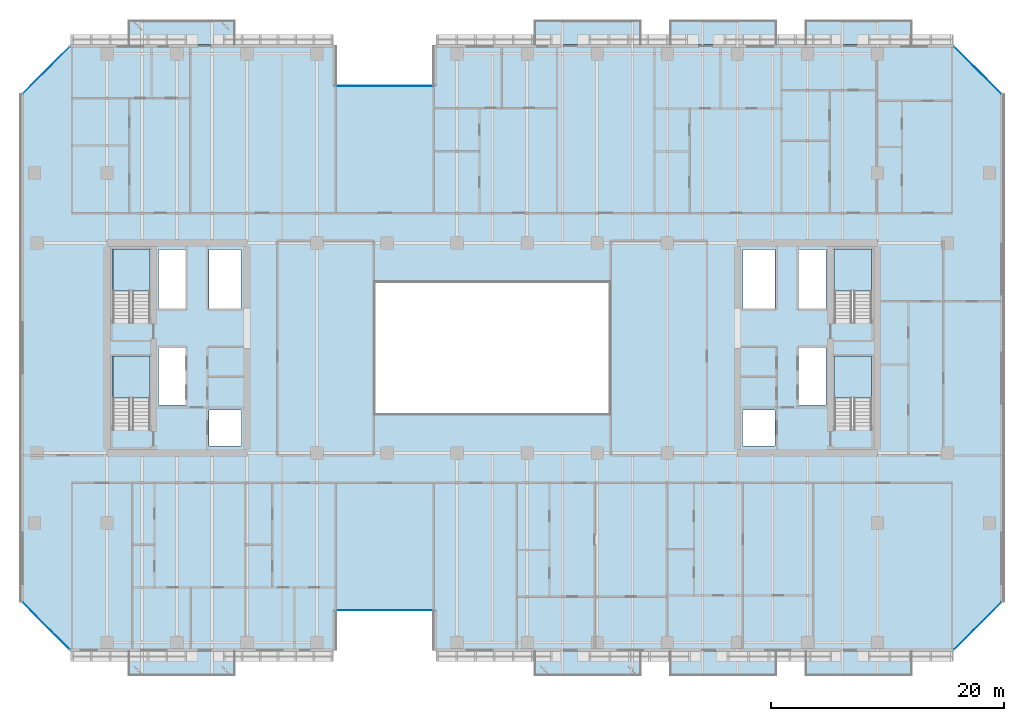
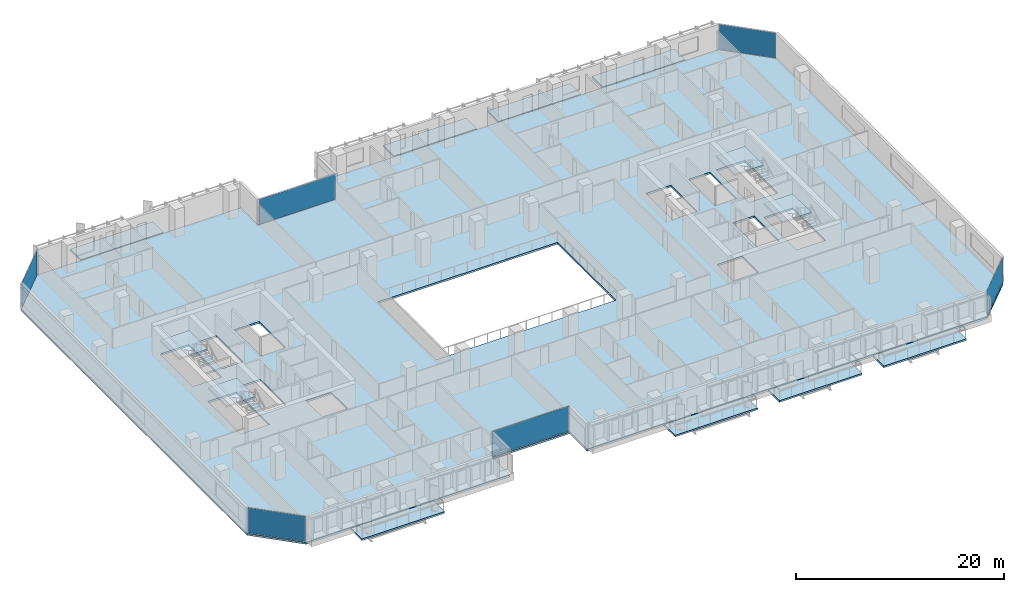
# One storey, part 18 of 34: 13 slabs, 6 plates, 10 elements without a shape of their own.
"""IFC4 building model written with IfcOpenShell, lengths in metres."""

import ifcopenshell
import ifcopenshell.guid

model = None  # the IFC model being written
_history = None  # IfcOwnerHistory: only IFC2X3 demands one
_inside = {}  # id of a spatial element -> (the spatial element, [elements in it])
_under = {}  # id of a project, library or spatial element -> (it, [spatial elements below it])
_declared = {}  # id of a project -> (the project, [libraries it declares])
_typed = {}  # id of a type object -> (the type object, [elements of that type])
_made_of = {}  # id of a material, layer set ... -> (it, [elements and type objects made of it])


def new_model(schema):
    """Start an empty IFC model of exactly this schema.

    Asked for "IFC4X3", IfcOpenShell would pick the latest addendum, in which some entities
    have other attributes; the version numbers below select the first issue.
    IFC2X3 requires an IfcOwnerHistory on every rooted entity: one is made here for all.
    """
    global model, _history
    if schema == "IFC4X3":
        model = ifcopenshell.file(schema_version=(4, 3, 0, 0))
    else:
        model = ifcopenshell.file(schema=schema)
    _inside.clear()
    _under.clear()
    _declared.clear()
    _typed.clear()
    _made_of.clear()
    _history = None
    if model.schema == "IFC2X3":
        org = make("IfcOrganization", Name="unknown")
        user = make(
            "IfcPersonAndOrganization",
            ThePerson=make("IfcPerson", FamilyName="unknown"),
            TheOrganization=org,
        )
        app = make(
            "IfcApplication",
            ApplicationDeveloper=org,
            Version="unknown",
            ApplicationFullName="unknown",
            ApplicationIdentifier="unknown",
        )
        _history = make(
            "IfcOwnerHistory",
            OwningUser=user,
            OwningApplication=app,
            ChangeAction="ADDED",
            CreationDate=0,
        )
    return model


def make(cls, **values):
    """One entity of the class cls with the attributes given. An attribute that is None is left unset."""
    return model.create_entity(
        cls, **{name: value for name, value in values.items() if value is not None}
    )


def rooted(cls, **values):
    """An entity with a GlobalId (a new one), such as an element, a storey or a relation."""
    return make(cls, GlobalId=ifcopenshell.guid.new(), OwnerHistory=_history, **values)


def si_unit(unit_type, name, prefix=None):
    """IfcSIUnit, for example si_unit("LENGTHUNIT", "METRE", prefix="MILLI")."""
    return make("IfcSIUnit", UnitType=unit_type, Prefix=prefix, Name=name)


def assignment(units):
    """IfcUnitAssignment: the units of a project."""
    return None if units is None else make("IfcUnitAssignment", Units=units)


def point(xyz):
    """IfcCartesianPoint."""
    return None if xyz is None else make("IfcCartesianPoint", Coordinates=xyz)


def direction(xyz):
    """IfcDirection."""
    return None if xyz is None else make("IfcDirection", DirectionRatios=xyz)


def frame(location, z_axis=None, x_axis=None):
    """IfcAxis2Placement3D, a coordinate frame: its origin and axes. An axis left out is left unset."""
    return make(
        "IfcAxis2Placement3D",
        Location=point(location),
        Axis=direction(z_axis),
        RefDirection=direction(x_axis),
    )


def frame_2d(location, x_axis=None):
    """IfcAxis2Placement2D, a coordinate frame in the plane: its origin and x axis."""
    return make(
        "IfcAxis2Placement2D", Location=point(location), RefDirection=direction(x_axis)
    )


def origin():
    """The frame at (0, 0, 0) with its axes left unset."""
    return frame((0.0, 0.0, 0.0))


def origin_2d():
    """The frame at (0, 0) in the plane with its x axis left unset."""
    return frame_2d((0.0, 0.0))


def place(relative_to, where):
    """IfcLocalPlacement: puts the frame where relative to a parent placement (None: the world)."""
    return make(
        "IfcLocalPlacement", PlacementRelTo=relative_to, RelativePlacement=where
    )


def context(
    kind, dimensions, precision=None, world=None, true_north=None, identifier=None
):
    """IfcGeometricRepresentationContext, for example the 3D "Model" context."""
    return make(
        "IfcGeometricRepresentationContext",
        ContextIdentifier=identifier,
        ContextType=kind,
        CoordinateSpaceDimension=dimensions,
        Precision=precision,
        WorldCoordinateSystem=world,
        TrueNorth=true_north,
    )


def subcontext(parent, identifier, kind, view, scale=None):
    """IfcGeometricRepresentationSubContext, for example "Body" below "Model"."""
    return make(
        "IfcGeometricRepresentationSubContext",
        ContextIdentifier=identifier,
        ContextType=kind,
        ParentContext=parent,
        TargetScale=scale,
        TargetView=view,
    )


def project(units=None, contexts=None):
    """IfcProject with its units and contexts."""
    return rooted(
        "IfcProject",
        Name="project",
        RepresentationContexts=contexts,
        UnitsInContext=assignment(units),
    )


def spatial(cls, under=None, at=None, **own):
    """A site, building, storey or space (cls), placed at a placement, below another one or the project."""
    s = rooted(cls, ObjectPlacement=at, **own)
    if under is not None:
        _under.setdefault(under.id(), (under, []))[1].append(s)
    return s


def polyline(points):
    """IfcPolyline through the points."""
    return make("IfcPolyline", Points=[point(p) for p in points])


def profile(cls, at=None, kind="AREA", **sizes):
    """A parametric profile (cls). Its sizes go by their IFC names, for example OverallWidth=200.0."""
    return make(cls, ProfileType=kind, Position=at, **sizes)


def rectangle(**sizes):
    """IfcRectangleProfileDef."""
    return profile("IfcRectangleProfileDef", **sizes)


def outline(outer, holes=None, kind="AREA"):
    """IfcArbitraryClosedProfileDef: a profile drawn as a closed curve; with holes, ...WithVoids."""
    if holes is None:
        return make("IfcArbitraryClosedProfileDef", ProfileType=kind, OuterCurve=outer)
    return make(
        "IfcArbitraryProfileDefWithVoids",
        ProfileType=kind,
        OuterCurve=outer,
        InnerCurves=holes,
    )


def extrude(swept, where, along, depth):
    """IfcExtrudedAreaSolid: the profile swept, set in the frame where, extruded along a direction by depth."""
    return make(
        "IfcExtrudedAreaSolid",
        SweptArea=swept,
        Position=where,
        ExtrudedDirection=direction(along),
        Depth=depth,
    )


def shape(context_of_items, identifier, shape_type, items):
    """IfcShapeRepresentation: the items that make up one representation, for example the "Body"."""
    return make(
        "IfcShapeRepresentation",
        ContextOfItems=context_of_items,
        RepresentationIdentifier=identifier,
        RepresentationType=shape_type,
        Items=items,
    )


def material(Name=None, Category=None):
    """IfcMaterial."""
    return make("IfcMaterial", Name=Name, Category=Category)


def layer(
    of_material, thickness, ventilated=None, Name=None, Category=None, Priority=None
):
    """IfcMaterialLayer: one layer of a wall or slab, of a material (None: an air gap)."""
    return make(
        "IfcMaterialLayer",
        Material=of_material,
        LayerThickness=thickness,
        IsVentilated=ventilated,
        Name=Name,
        Category=Category,
        Priority=Priority,
    )


def layer_set(layers, Name=None):
    """IfcMaterialLayerSet."""
    return make("IfcMaterialLayerSet", MaterialLayers=layers, LayerSetName=Name)


def made_of(thing, what):
    """Note that an element or type object is made of a material, layer set ...; save() writes the relation."""
    if what is not None:
        _made_of.setdefault(what.id(), (what, []))[1].append(thing)
    return thing


def type_object(cls, material=None, **own):
    """A type object (cls), such as IfcWallType, which elements share."""
    return made_of(rooted(cls, **own), material)


def element(
    cls,
    number,
    at=None,
    inside=None,
    cuts=None,
    type_object=None,
    material=None,
    context=None,
    identifier="Body",
    shape_type=None,
    held_by="IfcProductDefinitionShape",
    body=None,
    shapes=None,
    **own,
):
    """One element of the class cls, such as IfcWall. Its Tag is "e" and its number.

    at: its placement. inside: the storey or other place that contains it. cuts: it is an
    opening in that element (IfcRelVoidsElement). A single representation is given by context,
    identifier, shape_type and body (its items); several are given by shapes. held_by: the class
    of the entity that holds the representations. save() writes the other relations.
    """
    e = rooted(cls, Tag="e%d" % number, ObjectPlacement=at, **own)
    if body is not None:
        shapes = [shape(context, identifier, shape_type, body)]
    if shapes is not None:
        e.Representation = make(held_by, Representations=shapes)
    if inside is not None:
        _inside.setdefault(inside.id(), (inside, []))[1].append(e)
    if cuts is not None:
        rooted(
            "IfcRelVoidsElement", RelatingBuildingElement=cuts, RelatedOpeningElement=e
        )
    if type_object is not None:
        _typed.setdefault(type_object.id(), (type_object, []))[1].append(e)
    return made_of(e, material)


def aggregate(whole, parts):
    """IfcRelAggregates: a whole, such as a stair, and the parts it consists of."""
    return rooted("IfcRelAggregates", RelatingObject=whole, RelatedObjects=parts)


def save(model, path):
    """Write the relations noted so far, then the file.

    IfcRelAggregates (storeys below a building ...), IfcRelContainedInSpatialStructure (elements
    in a storey), IfcRelDefinesByType, IfcRelAssociatesMaterial and IfcRelDeclares: one each for
    every whole, place, type object, material and project.
    """
    for whole, parts in _under.values():
        aggregate(whole, parts)
    for where, things in _inside.values():
        rooted(
            "IfcRelContainedInSpatialStructure",
            RelatedElements=things,
            RelatingStructure=where,
        )
    for kind, things in _typed.values():
        rooted("IfcRelDefinesByType", RelatedObjects=things, RelatingType=kind)
    for what, things in _made_of.values():
        rooted("IfcRelAssociatesMaterial", RelatedObjects=things, RelatingMaterial=what)
    for by, libraries in _declared.values():
        rooted("IfcRelDeclares", RelatingContext=by, RelatedDefinitions=libraries)
    model.write(path)


model = new_model("IFC4")

# Units and contexts
model_context = context("Model", 3, precision=1e-05, world=origin(), true_north=direction((0.0, 1.0)))
body_context = subcontext(model_context, "Body", "Model", "MODEL_VIEW")
ifc_project = project(units=[si_unit("LENGTHUNIT", "METRE"), si_unit("AREAUNIT", "SQUARE_METRE"), si_unit("VOLUMEUNIT", "CUBIC_METRE"), si_unit("PLANEANGLEUNIT", "RADIAN"), si_unit("MASSUNIT", "GRAM", prefix="KILO")], contexts=[model_context])

# Site, building, storey
site_placement = place(None, origin())
site = spatial("IfcSite", under=ifc_project, at=site_placement, CompositionType="ELEMENT")
building_placement = place(site_placement, origin())
building = spatial("IfcBuilding", under=site, at=building_placement, Name="Tanjung Sevakor Pilgrim Tower", CompositionType="ELEMENT")
storey_placement = place(building_placement, frame((0.0, 0.0, 55.43994140625)))
storey = spatial("IfcBuildingStorey", under=building, at=storey_placement, Name="L15", CompositionType="ELEMENT", Elevation=55.43994140625)

# Slabs
ifc_material_1 = material(Name="Concrete C40/50", Category="concrete")
ifc_layer_1 = layer(ifc_material_1, 0.199951171875)
ifc_layer_set_1 = layer_set([ifc_layer_1], Name="SL-BAL-200")
slab_type_1 = type_object("IfcSlabType", Name="SL-BAL-200", PredefinedType="FLOOR", material=ifc_layer_set_1)
slab_1_placement = place(storey_placement, frame((0.0, 0.0, -0.199951171875)))
element("IfcSlab", 1, at=slab_1_placement, inside=storey, type_object=slab_type_1, Name="L15 Planted Loggia Balcony MAIN-S1", PredefinedType="FLOOR", context=body_context, shape_type="SweptSolid", body=[
    extrude(outline(polyline([(25.800048828125, 5.5), (35.0, 5.5), (35.0, 7.60009765625), (25.800048828125, 7.60009765625), (25.800048828125, 5.5)])), origin(), (0.0, 0.0, 1.0), 0.199951171875),
])
slab_2_placement = place(storey_placement, frame((0.0, 0.0, -0.199951171875)))
element("IfcSlab", 2, at=slab_2_placement, inside=storey, type_object=slab_type_1, Name="L15 Planted Loggia Balcony MAIN-N1", PredefinedType="FLOOR", context=body_context, shape_type="SweptSolid", body=[
    extrude(outline(polyline([(25.800048828125, 59.60009765625), (35.0, 59.60009765625), (35.0, 61.699951171875), (25.800048828125, 61.699951171875), (25.800048828125, 59.60009765625)])), origin(), (0.0, 0.0, 1.0), 0.199951171875),
])
slab_3_placement = place(storey_placement, frame((0.0, 0.0, -0.199951171875)))
element("IfcSlab", 3, at=slab_3_placement, inside=storey, type_object=slab_type_1, Name="L15 Planted Loggia Balcony MAIN-S2", PredefinedType="FLOOR", context=body_context, shape_type="SweptSolid", body=[
    extrude(outline(polyline([(60.60009765625, 5.5), (69.800048828125, 5.5), (69.800048828125, 7.60009765625), (60.60009765625, 7.60009765625), (60.60009765625, 5.5)])), origin(), (0.0, 0.0, 1.0), 0.199951171875),
])
slab_4_placement = place(storey_placement, frame((0.0, 0.0, -0.199951171875)))
element("IfcSlab", 4, at=slab_4_placement, inside=storey, type_object=slab_type_1, Name="L15 Planted Loggia Balcony MAIN-N2", PredefinedType="FLOOR", context=body_context, shape_type="SweptSolid", body=[
    extrude(outline(polyline([(60.60009765625, 59.60009765625), (69.800048828125, 59.60009765625), (69.800048828125, 61.699951171875), (60.60009765625, 61.699951171875), (60.60009765625, 59.60009765625)])), origin(), (0.0, 0.0, 1.0), 0.199951171875),
])
slab_5_placement = place(storey_placement, frame((0.0, 0.0, -0.199951171875)))
element("IfcSlab", 5, at=slab_5_placement, inside=storey, type_object=slab_type_1, Name="L15 Planted Loggia Balcony MAIN-S3", PredefinedType="FLOOR", context=body_context, shape_type="SweptSolid", body=[
    extrude(outline(polyline([(72.199951171875, 5.5), (81.39990234375, 5.5), (81.39990234375, 7.60009765625), (72.199951171875, 7.60009765625), (72.199951171875, 5.5)])), origin(), (0.0, 0.0, 1.0), 0.199951171875),
])
slab_6_placement = place(storey_placement, frame((0.0, 0.0, -0.199951171875)))
element("IfcSlab", 6, at=slab_6_placement, inside=storey, type_object=slab_type_1, Name="L15 Planted Loggia Balcony MAIN-N3", PredefinedType="FLOOR", context=body_context, shape_type="SweptSolid", body=[
    extrude(outline(polyline([(72.199951171875, 59.60009765625), (81.39990234375, 59.60009765625), (81.39990234375, 61.699951171875), (72.199951171875, 61.699951171875), (72.199951171875, 59.60009765625)])), origin(), (0.0, 0.0, 1.0), 0.199951171875),
])
slab_7_placement = place(storey_placement, frame((0.0, 0.0, -0.199951171875)))
element("IfcSlab", 7, at=slab_7_placement, inside=storey, type_object=slab_type_1, Name="L15 Planted Loggia Balcony MAIN-S4", PredefinedType="FLOOR", context=body_context, shape_type="SweptSolid", body=[
    extrude(outline(polyline([(83.800048828125, 5.5), (93.0, 5.5), (93.0, 7.60009765625), (83.800048828125, 7.60009765625), (83.800048828125, 5.5)])), origin(), (0.0, 0.0, 1.0), 0.199951171875),
])
slab_8_placement = place(storey_placement, frame((0.0, 0.0, -0.199951171875)))
element("IfcSlab", 8, at=slab_8_placement, inside=storey, type_object=slab_type_1, Name="L15 Planted Loggia Balcony MAIN-N4", PredefinedType="FLOOR", context=body_context, shape_type="SweptSolid", body=[
    extrude(outline(polyline([(83.800048828125, 59.60009765625), (93.0, 59.60009765625), (93.0, 61.699951171875), (83.800048828125, 61.699951171875), (83.800048828125, 59.60009765625)])), origin(), (0.0, 0.0, 1.0), 0.199951171875),
])

# Stair, slab
ifc_material_2 = material(Name="Concrete C40/50", Category="concrete")
stair_type = type_object("IfcStairType", Name="STAIR-ST-CR150", PredefinedType="HALF_TURN_STAIR", material=ifc_material_2)
stair_1_placement = place(storey_placement, origin())
stair_1 = element("IfcStair", 9, at=stair_1_placement, inside=storey, type_object=stair_type, Name="L15 West Core Exit Stair 1", PredefinedType="HALF_TURN_STAIR")
ifc_material_3 = material(Name="Concrete C40/50", Category="concrete")
ifc_layer_2 = layer(ifc_material_3, 0.199951171875)
ifc_layer_set_2 = layer_set([ifc_layer_2], Name="SL-LAND-200")
slab_type_2 = type_object("IfcSlabType", Name="SL-LAND-200", PredefinedType="LANDING", material=ifc_layer_set_2)
slab_9_placement = place(storey_placement, frame((0.0, 0.0, 1.449951171875)))
slab_9 = element("IfcSlab", 10, at=slab_9_placement, type_object=slab_type_2, Name="TS-W1 landing 1", PredefinedType="LANDING", context=body_context, shape_type="SweptSolid", body=[
    extrude(outline(polyline([(27.699951171875, 29.300048828125), (27.699951171875, 32.89990234375), (24.5, 32.89990234375), (24.5, 29.300048828125), (27.699951171875, 29.300048828125)])), origin(), (0.0, 0.0, 1.0), 0.2001953125),
])
aggregate(stair_1, [slab_9])

stair_2_placement = place(storey_placement, origin())
stair_2 = element("IfcStair", 11, at=stair_2_placement, inside=storey, type_object=stair_type, Name="L15 West Core Exit Stair 2", PredefinedType="HALF_TURN_STAIR")
slab_10_placement = place(storey_placement, frame((0.0, 0.0, 1.449951171875)))
slab_10 = element("IfcSlab", 12, at=slab_10_placement, type_object=slab_type_2, Name="TS-W2 landing 1", PredefinedType="LANDING", context=body_context, shape_type="SweptSolid", body=[
    extrude(outline(polyline([(27.699951171875, 38.5), (27.699951171875, 42.10009765625), (24.5, 42.10009765625), (24.5, 38.5), (27.699951171875, 38.5)])), origin(), (0.0, 0.0, 1.0), 0.2001953125),
])
aggregate(stair_2, [slab_10])

stair_3_placement = place(storey_placement, origin())
stair_3 = element("IfcStair", 13, at=stair_3_placement, inside=storey, type_object=stair_type, Name="L15 East Core Exit Stair 1", PredefinedType="HALF_TURN_STAIR")
slab_11_placement = place(storey_placement, frame((0.0, 0.0, 1.449951171875)))
slab_11 = element("IfcSlab", 14, at=slab_11_placement, type_object=slab_type_2, Name="TS-E1 landing 1", PredefinedType="LANDING", context=body_context, shape_type="SweptSolid", body=[
    extrude(outline(polyline([(89.5, 29.300048828125), (89.5, 32.89990234375), (86.300048828125, 32.89990234375), (86.300048828125, 29.300048828125), (89.5, 29.300048828125)])), origin(), (0.0, 0.0, 1.0), 0.2001953125),
])
aggregate(stair_3, [slab_11])

stair_4_placement = place(storey_placement, origin())
stair_4 = element("IfcStair", 15, at=stair_4_placement, inside=storey, type_object=stair_type, Name="L15 East Core Exit Stair 2", PredefinedType="HALF_TURN_STAIR")
slab_12_placement = place(storey_placement, frame((0.0, 0.0, 1.449951171875)))
slab_12 = element("IfcSlab", 16, at=slab_12_placement, type_object=slab_type_2, Name="TS-E2 landing 1", PredefinedType="LANDING", context=body_context, shape_type="SweptSolid", body=[
    extrude(outline(polyline([(89.5, 38.5), (89.5, 42.10009765625), (86.300048828125, 42.10009765625), (86.300048828125, 38.5), (89.5, 38.5)])), origin(), (0.0, 0.0, 1.0), 0.2001953125),
])
aggregate(stair_4, [slab_12])

# Slab
ifc_material_4 = material(Name="Concrete C40/50", Category="concrete")
ifc_layer_3 = layer(ifc_material_4, 0.219970703125)
ifc_layer_set_3 = layer_set([ifc_layer_3], Name="SL-TWR-220")
slab_type_3 = type_object("IfcSlabType", Name="SL-TWR-220", PredefinedType="FLOOR", material=ifc_layer_set_3)
slab_13_placement = place(storey_placement, frame((0.0, 0.0, -0.219970703125)))
element("IfcSlab", 17, at=slab_13_placement, inside=storey, type_object=slab_type_3, Name="L15 Floor Slab MAIN", PredefinedType="FLOOR", context=body_context, shape_type="SweptSolid", body=[
    extrude(outline(polyline([(20.846923828125, 7.679931640625), (43.52001953125, 7.679931640625), (43.52001953125, 11.080078125), (52.080078125, 11.080078125), (52.080078125, 7.679931640625), (96.552978515625, 7.679931640625), (100.719970703125, 11.846923828125), (100.719970703125, 55.35302734375), (96.552978515625, 59.52001953125), (52.080078125, 59.52001953125), (52.080078125, 56.1201171875), (43.52001953125, 56.1201171875), (43.52001953125, 59.52001953125), (20.846923828125, 59.52001953125), (16.679931640625, 55.35302734375), (16.679931640625, 11.846923828125), (20.846923828125, 7.679931640625)]), holes=[polyline([(27.699951171875, 26.60009765625), (27.699951171875, 32.89990234375), (24.5, 32.89990234375), (24.5, 26.60009765625), (27.699951171875, 26.60009765625)]), polyline([(27.699951171875, 35.800048828125), (27.699951171875, 42.10009765625), (24.5, 42.10009765625), (24.5, 35.800048828125), (27.699951171875, 35.800048828125)]), polyline([(89.5, 26.60009765625), (89.5, 32.89990234375), (86.300048828125, 32.89990234375), (86.300048828125, 26.60009765625), (89.5, 26.60009765625)]), polyline([(89.5, 35.800048828125), (89.5, 42.10009765625), (86.300048828125, 42.10009765625), (86.300048828125, 35.800048828125), (89.5, 35.800048828125)]), polyline([(32.75, 25.199951171875), (35.550048828125, 25.199951171875), (35.550048828125, 28.300048828125), (32.75, 28.300048828125), (32.75, 25.199951171875)]), polyline([(28.39990234375, 28.699951171875), (30.75, 28.699951171875), (30.75, 33.60009765625), (28.39990234375, 33.60009765625), (28.39990234375, 28.699951171875)]), polyline([(28.39990234375, 37.0), (30.75, 37.0), (30.75, 42.050048828125), (28.39990234375, 42.050048828125), (28.39990234375, 37.0)]), polyline([(32.75, 37.0), (35.5, 37.0), (35.5, 42.050048828125), (32.75, 42.050048828125), (32.75, 37.0)]), polyline([(78.449951171875, 25.199951171875), (81.25, 25.199951171875), (81.25, 28.300048828125), (78.449951171875, 28.300048828125), (78.449951171875, 25.199951171875)]), polyline([(83.25, 28.699951171875), (85.60009765625, 28.699951171875), (85.60009765625, 33.60009765625), (83.25, 33.60009765625), (83.25, 28.699951171875)]), polyline([(83.25, 37.0), (85.60009765625, 37.0), (85.60009765625, 42.050048828125), (83.25, 42.050048828125), (83.25, 37.0)]), polyline([(78.5, 37.0), (81.25, 37.0), (81.25, 42.050048828125), (78.5, 42.050048828125), (78.5, 37.0)]), polyline([(47.0, 28.0), (67.0, 28.0), (67.0, 39.199951171875), (47.0, 39.199951171875), (47.0, 28.0)])]), origin(), (0.0, 0.0, 1.0), 0.219970703125),
])

# Curtain wall, plate
ifc_material_5 = material(Name="Aluminium 6063-T6 and Low-E Glass", Category="aluminium")
ifc_layer_4 = layer(ifc_material_5, 0.179931640625)
ifc_layer_set_4 = layer_set([ifc_layer_4], Name="CW-SYS-CLEFT")
curtain_wall_type_1 = type_object("IfcCurtainWallType", Name="CW-SYS-CLEFT", PredefinedType="NOTDEFINED", material=ifc_layer_set_4)
curtain_wall_1_placement = place(storey_placement, origin())
curtain_wall_1 = element("IfcCurtainWall", 18, at=curtain_wall_1_placement, inside=storey, type_object=curtain_wall_type_1, Name="L15 Curtain Wall CW-CLF-L15-2", PredefinedType="NOTDEFINED")
ifc_material_6 = material(Name="Laminated Low-E Double Glazing", Category="glass")
ifc_layer_5 = layer(ifc_material_6, 0.028076171875)
ifc_layer_set_5 = layer_set([ifc_layer_5], Name="TYPE-CWP-GLZ1")
plate_type = type_object("IfcPlateType", Name="TYPE-CWP-GLZ1", PredefinedType="CURTAIN_PANEL", material=ifc_layer_set_5)
plate_1_placement = place(storey_placement, frame((47.800048828125, 11.139892578125, 0.06494140625), z_axis=(0.0, 0.0, 1.0), x_axis=(1.0, 0.0, 0.0)))
plate_1 = element("IfcPlate", 19, at=plate_1_placement, type_object=plate_type, Name="CW-CLF panel 1.1", PredefinedType="CURTAIN_PANEL", context=body_context, shape_type="SweptSolid", body=[
    extrude(rectangle(XDim=8.530029296875, YDim=0.028076171875, at=origin_2d()), origin(), (0.0, 0.0, 1.0), 2.949951171875),
])
aggregate(curtain_wall_1, [plate_1])

ifc_material_7 = material(Name="Aluminium 6063-T6 and Low-E Glass", Category="aluminium")
ifc_layer_6 = layer(ifc_material_7, 0.179931640625)
ifc_layer_set_6 = layer_set([ifc_layer_6], Name="CW-SYS-CHAM")
curtain_wall_type_2 = type_object("IfcCurtainWallType", Name="CW-SYS-CHAM", PredefinedType="NOTDEFINED", material=ifc_layer_set_6)
curtain_wall_2_placement = place(storey_placement, origin())
curtain_wall_2 = element("IfcCurtainWall", 20, at=curtain_wall_2_placement, inside=storey, type_object=curtain_wall_type_2, Name="L15 Curtain Wall CW-CHM-L15-MAIN-5", PredefinedType="NOTDEFINED")
plate_2_placement = place(storey_placement, frame((98.60107421875, 9.799072265625, 0.06494140625), z_axis=(0.0, 0.0, 1.0), x_axis=(0.707106781187, 0.707106781187, 0.0)))
plate_2 = element("IfcPlate", 21, at=plate_2_placement, type_object=plate_type, Name="CW-CHM panel 1.1", PredefinedType="CURTAIN_PANEL", context=body_context, shape_type="SweptSolid", body=[
    extrude(rectangle(XDim=5.69384765625, YDim=0.028076171875, at=origin_2d()), origin(), (0.0, 0.0, 1.0), 2.949951171875),
])
aggregate(curtain_wall_2, [plate_2])

curtain_wall_3_placement = place(storey_placement, origin())
curtain_wall_3 = element("IfcCurtainWall", 22, at=curtain_wall_3_placement, inside=storey, type_object=curtain_wall_type_2, Name="L15 Curtain Wall CW-CHM-L15-MAIN-7", PredefinedType="NOTDEFINED")
plate_3_placement = place(storey_placement, frame((98.60107421875, 57.40087890625, 0.06494140625), z_axis=(0.0, 0.0, 1.0), x_axis=(-0.707106781187, 0.707106781187, 0.0)))
plate_3 = element("IfcPlate", 23, at=plate_3_placement, type_object=plate_type, Name="CW-CHM panel 1.1", PredefinedType="CURTAIN_PANEL", context=body_context, shape_type="SweptSolid", body=[
    extrude(rectangle(XDim=5.69384765625, YDim=0.028076171875, at=origin_2d()), origin(), (0.0, 0.0, 1.0), 2.949951171875),
])
aggregate(curtain_wall_3, [plate_3])

curtain_wall_4_placement = place(storey_placement, origin())
curtain_wall_4 = element("IfcCurtainWall", 24, at=curtain_wall_4_placement, inside=storey, type_object=curtain_wall_type_1, Name="L15 Curtain Wall CW-CLF-L15-10", PredefinedType="NOTDEFINED")
plate_4_placement = place(storey_placement, frame((47.800048828125, 56.06005859375, 0.06494140625), z_axis=(0.0, 0.0, 1.0), x_axis=(-1.0, 0.0, 0.0)))
plate_4 = element("IfcPlate", 25, at=plate_4_placement, type_object=plate_type, Name="CW-CLF panel 1.1", PredefinedType="CURTAIN_PANEL", context=body_context, shape_type="SweptSolid", body=[
    extrude(rectangle(XDim=8.530029296875, YDim=0.028076171875, at=origin_2d()), origin(), (0.0, 0.0, 1.0), 2.949951171875),
])
aggregate(curtain_wall_4, [plate_4])

curtain_wall_5_placement = place(storey_placement, origin())
curtain_wall_5 = element("IfcCurtainWall", 26, at=curtain_wall_5_placement, inside=storey, type_object=curtain_wall_type_2, Name="L15 Curtain Wall CW-CHM-L15-MAIN-13", PredefinedType="NOTDEFINED")
plate_5_placement = place(storey_placement, frame((18.799072265625, 57.40087890625, 0.06494140625), z_axis=(0.0, 0.0, 1.0), x_axis=(-0.707106781187, -0.707106781187, 0.0)))
plate_5 = element("IfcPlate", 27, at=plate_5_placement, type_object=plate_type, Name="CW-CHM panel 1.1", PredefinedType="CURTAIN_PANEL", context=body_context, shape_type="SweptSolid", body=[
    extrude(rectangle(XDim=5.69384765625, YDim=0.028076171875, at=origin_2d()), origin(), (0.0, 0.0, 1.0), 2.949951171875),
])
aggregate(curtain_wall_5, [plate_5])

curtain_wall_6_placement = place(storey_placement, origin())
curtain_wall_6 = element("IfcCurtainWall", 28, at=curtain_wall_6_placement, inside=storey, type_object=curtain_wall_type_2, Name="L15 Curtain Wall CW-CHM-L15-MAIN-15", PredefinedType="NOTDEFINED")
plate_6_placement = place(storey_placement, frame((18.799072265625, 9.799072265625, 0.06494140625), z_axis=(0.0, 0.0, 1.0), x_axis=(0.707106781187, -0.707106781187, 0.0)))
plate_6 = element("IfcPlate", 29, at=plate_6_placement, type_object=plate_type, Name="CW-CHM panel 1.1", PredefinedType="CURTAIN_PANEL", context=body_context, shape_type="SweptSolid", body=[
    extrude(rectangle(XDim=5.69384765625, YDim=0.028076171875, at=origin_2d()), origin(), (0.0, 0.0, 1.0), 2.949951171875),
])
aggregate(curtain_wall_6, [plate_6])

save(model, "model.ifc")
